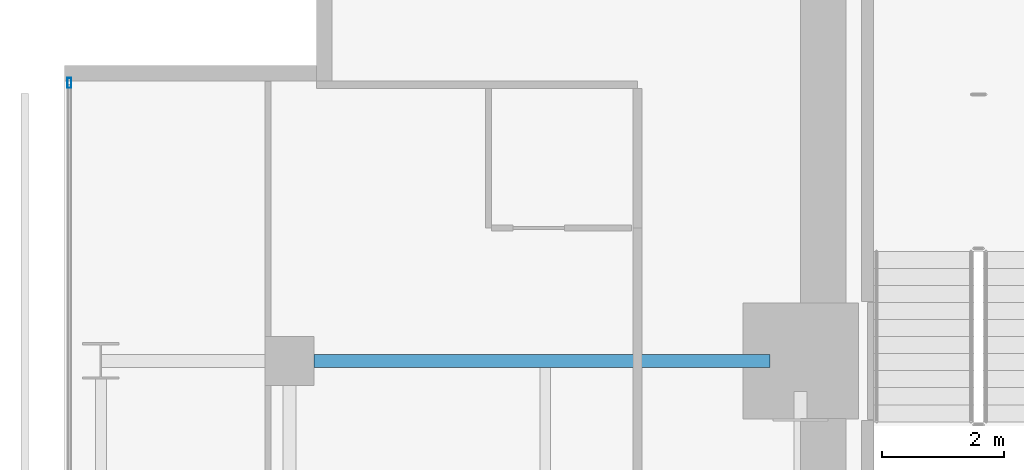
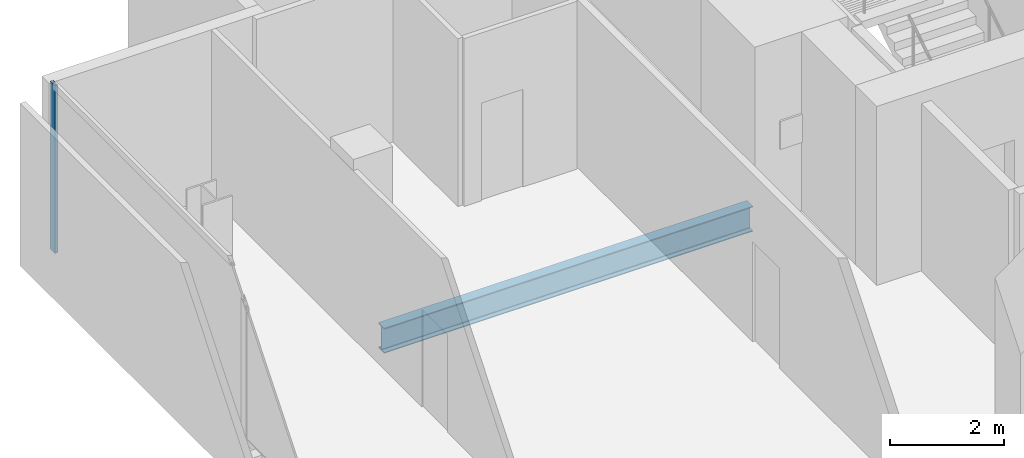
# One storey, part 20 of 33: 1 beam, 1 member, 1 element without a shape of its own.
"""IFC4 building model written with IfcOpenShell, lengths in metres."""

from ifc_helpers import new_model, si_unit, direction, frame, origin, origin_2d, place, context, subcontext, project, spatial, hollow_rectangle, i_section, extrude, material, layer, layer_set, material_profile, profile_set, type_object, element, aggregate, save


model = new_model("IFC4")

# Units and contexts
model_context = context("Model", 3, precision=1e-05, world=origin(), true_north=direction((0.0, 1.0)))
body_context = subcontext(model_context, "Body", "Model", "MODEL_VIEW")
ifc_project = project(units=[si_unit("LENGTHUNIT", "METRE"), si_unit("AREAUNIT", "SQUARE_METRE"), si_unit("VOLUMEUNIT", "CUBIC_METRE"), si_unit("PLANEANGLEUNIT", "RADIAN"), si_unit("MASSUNIT", "GRAM", prefix="KILO")], contexts=[model_context])

# Site, building, storey
site_placement = place(None, origin())
site = spatial("IfcSite", under=ifc_project, at=site_placement, CompositionType="ELEMENT")
building_placement = place(site_placement, origin())
building = spatial("IfcBuilding", under=site, at=building_placement, Name="Maruvema Waterfront Hotel and Observation Tower", CompositionType="ELEMENT")
storey_placement = place(building_placement, frame((0.0, 0.0, 196.699951171875)))
storey = spatial("IfcBuildingStorey", under=building, at=storey_placement, Name="L48", CompositionType="ELEMENT", Elevation=196.699951171875)

# Curtain wall, member
ifc_material_1 = material(Name="Anodised bronze aluminium and solar-control low-E IGU", Category="aluminium")
ifc_layer = layer(ifc_material_1, 0.159912109375, Name="Zone 2 Amber Inner Thermal Curtain Wall System CW-03")
ifc_layer_set = layer_set([ifc_layer], Name="Anodised bronze aluminium and solar-control low-E IGU")
curtain_wall_type = type_object("IfcCurtainWallType", Name="Zone 2 Amber Inner Thermal Curtain Wall System CW-03", PredefinedType="USERDEFINED", material=ifc_layer_set)
curtain_wall_placement = place(storey_placement, origin())
curtain_wall = element("IfcCurtainWall", 1, at=curtain_wall_placement, inside=storey, type_object=curtain_wall_type, Name="L48 Curtain Wall CW-L48-W", ObjectType="UNITISED CURTAIN WALL", PredefinedType="USERDEFINED")
ifc_material_2 = material(Name="Anodised architectural bronze aluminium", Category="aluminium")
ifc_material_profile_1 = material_profile(ifc_material_2, hollow_rectangle(XDim=0.06494140625, YDim=0.1650390625, WallThickness=0.00390625, at=origin_2d()), Name="ALU-M65x165")
ifc_profile_set_1 = profile_set([ifc_material_profile_1], Name="Anodised architectural bronze aluminium")
member_type = type_object("IfcMemberType", Name="Curtain Wall Primary Mullion ALU-M65x165", PredefinedType="MULLION", material=ifc_profile_set_1)
member_placement = place(storey_placement, frame((13.179931640625, 49.570068359375, 0.0), z_axis=(0.0, 0.0, 1.0), x_axis=(1.0, 0.0, 0.0)))
member = element("IfcMember", 2, at=member_placement, type_object=member_type, Name="CW-03 mullion 1", PredefinedType="MULLION", context=body_context, shape_type="SweptSolid", body=[
    extrude(hollow_rectangle(XDim=0.06494140625, YDim=0.1650390625, WallThickness=0.00390625, at=origin_2d()), origin(), (0.0, 0.0, 1.0), 3.610107421875),
])
aggregate(curtain_wall, [member])

# Beam
ifc_material_3 = material(Name="Steel ASTM A572 Grade 50", Category="steel")
ifc_material_profile_2 = material_profile(ifc_material_3, i_section(OverallWidth=0.2109375, OverallDepth=0.5390625, WebThickness=0.01171875, FlangeThickness=0.018798828125, FilletRadius=0.014892578125, at=origin_2d()), Name="W530x109.0")
ifc_profile_set_2 = profile_set([ifc_material_profile_2], Name="Steel ASTM A572 Grade 50")
beam_type = type_object("IfcBeamType", Name="Primary Floor Girder W530x109.0", PredefinedType="BEAM", material=ifc_profile_set_2)
beam_placement = place(storey_placement, frame((17.199951171875, 45.0, -0.509521484375), z_axis=(1.0, 0.0, 0.0), x_axis=(0.0, 1.0, 0.0)))
element("IfcBeam", 3, at=beam_placement, inside=storey, type_object=beam_type, Name="L48 Floor Girder EW-31", PredefinedType="BEAM", context=body_context, shape_type="SweptSolid", body=[
    extrude(i_section(OverallWidth=0.2109375, OverallDepth=0.5390625, WebThickness=0.01171875, FlangeThickness=0.018798828125, FilletRadius=0.014892578125, at=origin_2d()), origin(), (0.0, 0.0, 1.0), 7.5),
])

save(model, "model.ifc")
